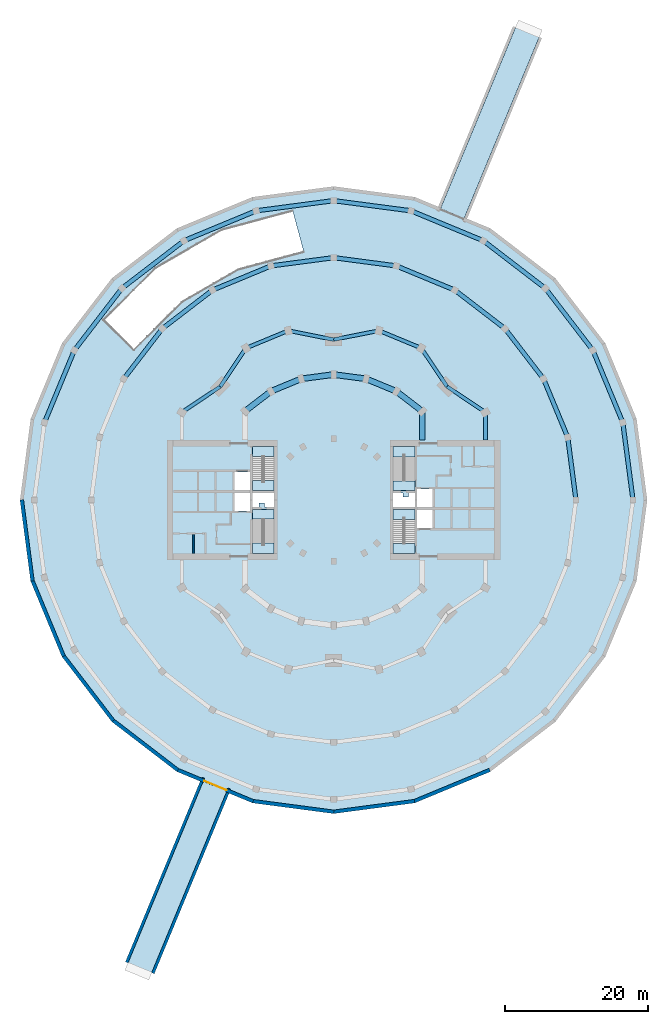
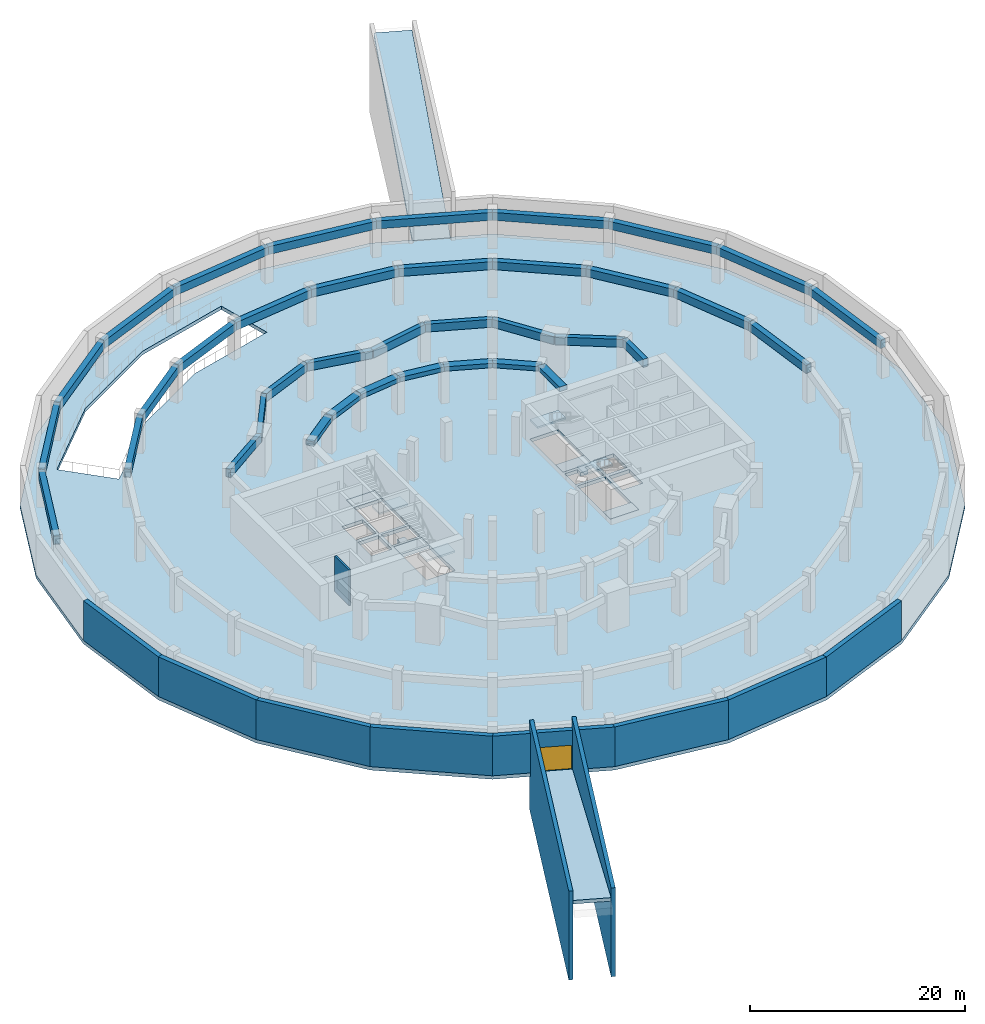
# One storey, part 2 of 7: 37 beams, 11 slabs, 11 walls, 1 door, 1 opening, 6 elements without a shape of their own.
"""IFC4 building model written with IfcOpenShell, lengths in metres."""

from ifc_helpers import new_model, si_unit, direction, frame, frame_2d, origin, origin_2d, place, context, subcontext, project, spatial, polyline, rectangle, outline, extrude, material, layer, layer_set, material_profile, profile_set, type_object, element, fill, aggregate, save


model = new_model("IFC4")

# Units and contexts
model_context = context("Model", 3, precision=1e-05, world=origin(), true_north=direction((0.0, 1.0)))
body_context = subcontext(model_context, "Body", "Model", "MODEL_VIEW")
ifc_project = project(units=[si_unit("LENGTHUNIT", "METRE"), si_unit("AREAUNIT", "SQUARE_METRE"), si_unit("VOLUMEUNIT", "CUBIC_METRE"), si_unit("PLANEANGLEUNIT", "RADIAN"), si_unit("MASSUNIT", "GRAM", prefix="KILO")], contexts=[model_context])

# Site, building, storey
site_placement = place(None, origin())
site = spatial("IfcSite", under=ifc_project, at=site_placement, CompositionType="ELEMENT")
building_placement = place(site_placement, origin())
building = spatial("IfcBuilding", under=site, at=building_placement, Name="Torre Brocal", CompositionType="ELEMENT")
storey_placement = place(building_placement, frame((0.0, 0.0, -4.5)))
storey = spatial("IfcBuildingStorey", under=building, at=storey_placement, Name="B1", CompositionType="ELEMENT", Elevation=-4.5)

# Beams
ifc_material_1 = material(Name="Concrete C50", Category="concrete")
ifc_material_profile_1 = material_profile(ifc_material_1, rectangle(XDim=0.60009765625, YDim=0.89990234375, at=origin_2d()), Name="RC 600X900")
ifc_profile_set_1 = profile_set([ifc_material_profile_1], Name="Concrete C50")
beam_type_1 = type_object("IfcBeamType", Name="RC BEAM 600X900 C50 TOP 4050", PredefinedType="BEAM", material=ifc_profile_set_1)
for number, where, z_axis, x_axis, name in (
    (1, (122.0, 75.0, 3.60009765625), (-0.130529968843, 0.991444364165, 0.0), (-0.991444364165, -0.130529968843, 0.0), "Beam BT-04"),
    (2, (120.56884765625, 85.870361328125, 3.60009765625), (-0.382680868131, 0.923880594648, 0.0), (-0.923880594648, -0.382680868131, 0.0), "Beam BT-04"),
    (3, (116.373046875, 96.0, 3.60009765625), (-0.608760122032, 0.793354343168, 0.0), (-0.793354343168, -0.608760122032, 0.0), "Beam BT-04"),
    (4, (109.698486328125, 104.698486328125, 3.60009765625), (-0.793354343168, 0.608760122032, 0.0), (-0.608760122032, -0.793354343168, 0.0), "Beam BT-04"),
    (5, (101.0, 111.373046875, 3.60009765625), (-0.923880594648, 0.382680868131, 0.0), (-0.382680868131, -0.923880594648, 0.0), "Beam BT-04"),
    (6, (90.870361328125, 115.56884765625, 3.60009765625), (-0.991444364165, 0.130529968843, 0.0), (-0.130529968843, -0.991444364165, 0.0), "Beam BT-04"),
    (7, (80.0, 117.0, 3.60009765625), (-0.991444364165, -0.130529968843, 0.0), (0.130529968843, -0.991444364165, 0.0), "Beam BT-04"),
    (8, (69.129638671875, 115.56884765625, 3.60009765625), (-0.923880594648, -0.382680868131, 0.0), (0.382680868131, -0.923880594648, 0.0), "Beam BT-04"),
    (9, (59.0, 111.373046875, 3.60009765625), (-0.793354343168, -0.608760122032, 0.0), (0.608760122032, -0.793354343168, 0.0), "Beam BT-04"),
    (10, (50.301513671875, 104.698486328125, 3.60009765625), (-0.608760122032, -0.793354343168, 0.0), (0.793354343168, -0.608760122032, 0.0), "Beam BT-04"),
    (11, (43.626953125, 96.0, 3.60009765625), (-0.382680868131, -0.923880594648, 0.0), (0.923880594648, -0.382680868131, 0.0), "Beam BT-04"),
):
    element("IfcBeam", number, at=place(storey_placement, frame(where, z_axis=z_axis, x_axis=x_axis)), inside=storey, type_object=beam_type_1, Name=name, PredefinedType="BEAM", context=body_context, shape_type="SweptSolid", body=[
        extrude(rectangle(XDim=0.60009765625, YDim=0.89990234375, at=origin_2d()), origin(), (0.0, 0.0, 1.0), 10.964111328125),
    ])
beam_1_placement = place(storey_placement, frame((114.0, 75.0, 3.60009765625), z_axis=(-0.130518550679, 0.991445867372, 0.0), x_axis=(-0.991445867372, -0.130518550679, 0.0)))
element("IfcBeam", 12, at=beam_1_placement, inside=storey, type_object=beam_type_1, Name="Beam BT-04", PredefinedType="BEAM", context=body_context, shape_type="SweptSolid", body=[
    extrude(rectangle(XDim=0.60009765625, YDim=0.89990234375, at=origin_2d()), origin(), (0.0, 0.0, 1.0), 8.875732421875),
])
beam_2_placement = place(storey_placement, frame((112.841552734375, 83.7998046875, 3.60009765625), z_axis=(-0.382692703012, 0.923875692429, 0.0), x_axis=(-0.923875692429, -0.382692703012, 0.0)))
element("IfcBeam", 13, at=beam_2_placement, inside=storey, type_object=beam_type_1, Name="Beam BT-04", PredefinedType="BEAM", context=body_context, shape_type="SweptSolid", body=[
    extrude(rectangle(XDim=0.60009765625, YDim=0.89990234375, at=origin_2d()), origin(), (0.0, 0.0, 1.0), 8.8759765625),
])
for number, where, z_axis, x_axis, name in (
    (14, (109.44482421875, 92.0, 3.60009765625), (-0.608743902882, 0.793366788253, 0.0), (-0.793366788253, -0.608743902882, 0.0), "Beam BT-04"),
    (15, (104.041748046875, 99.041748046875, 3.60009765625), (-0.793366788253, 0.608743902882, 0.0), (-0.608743902882, -0.793366788253, 0.0), "Beam BT-04"),
):
    element("IfcBeam", number, at=place(storey_placement, frame(where, z_axis=z_axis, x_axis=x_axis)), inside=storey, type_object=beam_type_1, Name=name, PredefinedType="BEAM", context=body_context, shape_type="SweptSolid", body=[
        extrude(rectangle(XDim=0.60009765625, YDim=0.89990234375, at=origin_2d()), origin(), (0.0, 0.0, 1.0), 8.875732421875),
    ])
beam_3_placement = place(storey_placement, frame((97.0, 104.44482421875, 3.60009765625), z_axis=(-0.923875692429, 0.382692703012, 0.0), x_axis=(-0.382692703012, -0.923875692429, 0.0)))
element("IfcBeam", 16, at=beam_3_placement, inside=storey, type_object=beam_type_1, Name="Beam BT-04", PredefinedType="BEAM", context=body_context, shape_type="SweptSolid", body=[
    extrude(rectangle(XDim=0.60009765625, YDim=0.89990234375, at=origin_2d()), origin(), (0.0, 0.0, 1.0), 8.8759765625),
])
for number, where, z_axis, x_axis, name in (
    (17, (88.7998046875, 107.841552734375, 3.60009765625), (-0.991445867372, 0.130518550679, 0.0), (-0.130518550679, -0.991445867372, 0.0), "Beam BT-04"),
    (18, (80.0, 109.0, 3.60009765625), (-0.991445867372, -0.130518550679, 0.0), (0.130518550679, -0.991445867372, 0.0), "Beam BT-04"),
):
    element("IfcBeam", number, at=place(storey_placement, frame(where, z_axis=z_axis, x_axis=x_axis)), inside=storey, type_object=beam_type_1, Name=name, PredefinedType="BEAM", context=body_context, shape_type="SweptSolid", body=[
        extrude(rectangle(XDim=0.60009765625, YDim=0.89990234375, at=origin_2d()), origin(), (0.0, 0.0, 1.0), 8.875732421875),
    ])
beam_4_placement = place(storey_placement, frame((71.2001953125, 107.841552734375, 3.60009765625), z_axis=(-0.923875692429, -0.382692703012, 0.0), x_axis=(0.382692703012, -0.923875692429, 0.0)))
element("IfcBeam", 19, at=beam_4_placement, inside=storey, type_object=beam_type_1, Name="Beam BT-04", PredefinedType="BEAM", context=body_context, shape_type="SweptSolid", body=[
    extrude(rectangle(XDim=0.60009765625, YDim=0.89990234375, at=origin_2d()), origin(), (0.0, 0.0, 1.0), 8.8759765625),
])
for number, where, z_axis, x_axis, name in (
    (20, (63.0, 104.44482421875, 3.60009765625), (-0.793366788253, -0.608743902882, 0.0), (0.608743902882, -0.793366788253, 0.0), "Beam BT-04"),
    (21, (55.958251953125, 99.041748046875, 3.60009765625), (-0.608743902882, -0.793366788253, 0.0), (0.793366788253, -0.608743902882, 0.0), "Beam BT-04"),
):
    element("IfcBeam", number, at=place(storey_placement, frame(where, z_axis=z_axis, x_axis=x_axis)), inside=storey, type_object=beam_type_1, Name=name, PredefinedType="BEAM", context=body_context, shape_type="SweptSolid", body=[
        extrude(rectangle(XDim=0.60009765625, YDim=0.89990234375, at=origin_2d()), origin(), (0.0, 0.0, 1.0), 8.875732421875),
    ])
ifc_material_2 = material(Name="Concrete C50", Category="concrete")
ifc_material_profile_2 = material_profile(ifc_material_2, rectangle(XDim=0.800048828125, YDim=0.5, at=origin_2d()), Name="RC 800X500")
ifc_profile_set_2 = profile_set([ifc_material_profile_2], Name="Concrete C50")
beam_type_2 = type_object("IfcBeamType", Name="RC BEAM 800X500 C50 TOP 4050", PredefinedType="BEAM", material=ifc_profile_set_2)
beam_5_placement = place(storey_placement, frame((92.445068359375, 87.445068359375, 3.800048828125), z_axis=(-0.793358265959, 0.6087550097, 0.0), x_axis=(-0.6087550097, -0.793358265959, 0.0)))
element("IfcBeam", 22, at=beam_5_placement, inside=storey, type_object=beam_type_2, Name="Beam BT-05", PredefinedType="BEAM", context=body_context, shape_type="SweptSolid", body=[
    extrude(rectangle(XDim=0.800048828125, YDim=0.5, at=origin_2d()), origin(), (0.0, 0.0, 1.0), 4.594482421875),
])
beam_6_placement = place(storey_placement, frame((88.800048828125, 90.241943359375, 3.800048828125), z_axis=(-0.923878240166, 0.382686552348, 0.0), x_axis=(-0.382686552348, -0.923878240166, 0.0)))
element("IfcBeam", 23, at=beam_6_placement, inside=storey, type_object=beam_type_2, Name="Beam BT-05", PredefinedType="BEAM", context=body_context, shape_type="SweptSolid", body=[
    extrude(rectangle(XDim=0.800048828125, YDim=0.5, at=origin_2d()), origin(), (0.0, 0.0, 1.0), 4.5947265625),
])
for number, where, z_axis, x_axis, name in (
    (24, (84.55517578125, 92.000244140625, 3.800048828125), (-0.991440544449, 0.130558978332, 0.0), (-0.130558978332, -0.991440544449, 0.0), "Beam BT-05"),
    (25, (80.0, 92.60009765625, 3.800048828125), (-0.991440544449, -0.130558978332, 0.0), (0.130558978332, -0.991440544449, 0.0), "Beam BT-05"),
):
    element("IfcBeam", number, at=place(storey_placement, frame(where, z_axis=z_axis, x_axis=x_axis)), inside=storey, type_object=beam_type_2, Name=name, PredefinedType="BEAM", context=body_context, shape_type="SweptSolid", body=[
        extrude(rectangle(XDim=0.800048828125, YDim=0.5, at=origin_2d()), origin(), (0.0, 0.0, 1.0), 4.594482421875),
    ])
beam_7_placement = place(storey_placement, frame((75.44482421875, 92.000244140625, 3.800048828125), z_axis=(-0.923878240166, -0.382686552348, 0.0), x_axis=(0.382686552348, -0.923878240166, 0.0)))
element("IfcBeam", 26, at=beam_7_placement, inside=storey, type_object=beam_type_2, Name="Beam BT-05", PredefinedType="BEAM", context=body_context, shape_type="SweptSolid", body=[
    extrude(rectangle(XDim=0.800048828125, YDim=0.5, at=origin_2d()), origin(), (0.0, 0.0, 1.0), 4.5947265625),
])
beam_8_placement = place(storey_placement, frame((71.199951171875, 90.241943359375, 3.800048828125), z_axis=(-0.793358265959, -0.6087550097, 0.0), x_axis=(0.6087550097, -0.793358265959, 0.0)))
element("IfcBeam", 27, at=beam_8_placement, inside=storey, type_object=beam_type_2, Name="Beam BT-05", PredefinedType="BEAM", context=body_context, shape_type="SweptSolid", body=[
    extrude(rectangle(XDim=0.800048828125, YDim=0.5, at=origin_2d()), origin(), (0.0, 0.0, 1.0), 4.594482421875),
])
beam_9_placement = place(storey_placement, frame((92.445068359375, 87.445068359375, 3.800048828125), z_axis=(0.0, -1.0, 0.0), x_axis=(1.0, 0.0, 0.0)))
element("IfcBeam", 28, at=beam_9_placement, inside=storey, type_object=beam_type_2, Name="Beam BT-05", PredefinedType="BEAM", context=body_context, shape_type="SweptSolid", body=[
    extrude(rectangle(XDim=0.800048828125, YDim=0.5, at=origin_2d()), origin(), (0.0, 0.0, 1.0), 4.045166015625),
])
ifc_material_3 = material(Name="Concrete C50", Category="concrete")
ifc_material_profile_3 = material_profile(ifc_material_3, rectangle(XDim=0.5, YDim=0.89990234375, at=origin_2d()), Name="RC 500X900")
ifc_profile_set_3 = profile_set([ifc_material_profile_3], Name="Concrete C50")
beam_type_3 = type_object("IfcBeamType", Name="RC SPANDREL BEAM 500X900 C50 TOP 4050", PredefinedType="SPANDREL", material=ifc_profile_set_3)
for number, where, z_axis, x_axis, name in (
    (29, (101.30419921875, 87.300048828125, 3.60009765625), (-0.831076844476, 0.556157602282, 0.0), (-0.556157602282, -0.831076844476, 0.0), "Beam BT-06"),
    (30, (95.909912109375, 90.909912109375, 3.60009765625), (-0.556157602282, 0.831076844476, 0.0), (-0.831076844476, -0.556157602282, 0.0), "Beam BT-06"),
):
    element("IfcBeam", number, at=place(storey_placement, frame(where, z_axis=z_axis, x_axis=x_axis)), inside=storey, type_object=beam_type_3, Name=name, PredefinedType="SPANDREL", context=body_context, shape_type="SweptSolid", body=[
        extrude(rectangle(XDim=0.5, YDim=0.89990234375, at=origin_2d()), origin(), (0.0, 0.0, 1.0), 6.49072265625),
    ])
beam_10_placement = place(storey_placement, frame((92.300048828125, 96.30419921875, 3.60009765625), z_axis=(-0.923882462513, 0.382676358639, 0.0), x_axis=(-0.382676358639, -0.923882462513, 0.0)))
element("IfcBeam", 31, at=beam_10_placement, inside=storey, type_object=beam_type_3, Name="Beam BT-06", PredefinedType="SPANDREL", context=body_context, shape_type="SweptSolid", body=[
    extrude(rectangle(XDim=0.5, YDim=0.89990234375, at=origin_2d()), origin(), (0.0, 0.0, 1.0), 6.421875),
])
for number, where, z_axis, x_axis, name in (
    (32, (86.366943359375, 98.76171875, 3.60009765625), (-0.980924907484, -0.194387051723, 0.0), (0.194387051723, -0.980924907484, 0.0), "Beam BT-06"),
    (33, (80.0, 97.5, 3.60009765625), (-0.980924907484, 0.194387051723, 0.0), (-0.194387051723, -0.980924907484, 0.0), "Beam BT-06"),
):
    element("IfcBeam", number, at=place(storey_placement, frame(where, z_axis=z_axis, x_axis=x_axis)), inside=storey, type_object=beam_type_3, Name=name, PredefinedType="SPANDREL", context=body_context, shape_type="SweptSolid", body=[
        extrude(rectangle(XDim=0.5, YDim=0.89990234375, at=origin_2d()), origin(), (0.0, 0.0, 1.0), 6.49072265625),
    ])
beam_11_placement = place(storey_placement, frame((73.633056640625, 98.76171875, 3.60009765625), z_axis=(-0.923882462513, -0.382676358639, 0.0), x_axis=(0.382676358639, -0.923882462513, 0.0)))
element("IfcBeam", 34, at=beam_11_placement, inside=storey, type_object=beam_type_3, Name="Beam BT-06", PredefinedType="SPANDREL", context=body_context, shape_type="SweptSolid", body=[
    extrude(rectangle(XDim=0.5, YDim=0.89990234375, at=origin_2d()), origin(), (0.0, 0.0, 1.0), 6.421875),
])
for number, where, z_axis, x_axis, name in (
    (35, (67.699951171875, 96.30419921875, 3.60009765625), (-0.556157602282, -0.831076844476, 0.0), (0.831076844476, -0.556157602282, 0.0), "Beam BT-06"),
    (36, (64.090087890625, 90.909912109375, 3.60009765625), (-0.831076844476, -0.556157602282, 0.0), (0.556157602282, -0.831076844476, 0.0), "Beam BT-06"),
):
    element("IfcBeam", number, at=place(storey_placement, frame(where, z_axis=z_axis, x_axis=x_axis)), inside=storey, type_object=beam_type_3, Name=name, PredefinedType="SPANDREL", context=body_context, shape_type="SweptSolid", body=[
        extrude(rectangle(XDim=0.5, YDim=0.89990234375, at=origin_2d()), origin(), (0.0, 0.0, 1.0), 6.49072265625),
    ])
beam_12_placement = place(storey_placement, frame((101.30419921875, 87.300048828125, 3.60009765625), z_axis=(0.0, -1.0, 0.0), x_axis=(1.0, 0.0, 0.0)))
element("IfcBeam", 37, at=beam_12_placement, inside=storey, type_object=beam_type_3, Name="Beam BT-06", PredefinedType="SPANDREL", context=body_context, shape_type="SweptSolid", body=[
    extrude(rectangle(XDim=0.5, YDim=0.89990234375, at=origin_2d()), origin(), (0.0, 0.0, 1.0), 3.900146484375),
])

# Stair, slab
ifc_material_4 = material(Name="Concrete C50", Category="concrete")
stair_type = type_object("IfcStairType", Name="EXIT STAIR", PredefinedType="HALF_TURN_STAIR", material=ifc_material_4)
stair_1_placement = place(storey_placement, origin())
stair_1 = element("IfcStair", 38, at=stair_1_placement, inside=storey, type_object=stair_type, Name="EXIT STAIR ST1", PredefinedType="HALF_TURN_STAIR")
ifc_material_5 = material(Name="Concrete C50", Category="concrete")
ifc_layer_1 = layer(ifc_material_5, 0.39990234375)
ifc_layer_set_1 = layer_set([ifc_layer_1], Name="Concrete C50")
slab_type_1 = type_object("IfcSlabType", Name="FLOOR LANDING 400", PredefinedType="LANDING", material=ifc_layer_set_1)
slab_1_placement = place(storey_placement, frame((0.0, 0.0, -0.39990234375)))
slab_1 = element("IfcSlab", 39, at=slab_1_placement, type_object=slab_type_1, Name="ST1 landing 1", PredefinedType="LANDING", context=body_context, shape_type="SweptSolid", body=[
    extrude(outline(polyline([(88.35009765625, 76.300048828125), (91.39990234375, 76.300048828125), (91.39990234375, 77.699951171875), (88.35009765625, 77.699951171875), (88.35009765625, 76.300048828125)])), origin(), (0.0, 0.0, 1.0), 0.39990234375),
])

stair_2_placement = place(storey_placement, origin())
stair_2 = element("IfcStair", 40, at=stair_2_placement, inside=storey, type_object=stair_type, Name="EXIT STAIR ST2", PredefinedType="HALF_TURN_STAIR")
slab_2_placement = place(storey_placement, frame((0.0, 0.0, -0.39990234375)))
slab_2 = element("IfcSlab", 41, at=slab_2_placement, type_object=slab_type_1, Name="ST2 landing 1", PredefinedType="LANDING", context=body_context, shape_type="SweptSolid", body=[
    extrude(outline(polyline([(88.35009765625, 67.5), (91.39990234375, 67.5), (91.39990234375, 68.89990234375), (88.35009765625, 68.89990234375), (88.35009765625, 67.5)])), origin(), (0.0, 0.0, 1.0), 0.39990234375),
])

stair_3_placement = place(storey_placement, origin())
stair_3 = element("IfcStair", 42, at=stair_3_placement, inside=storey, type_object=stair_type, Name="EXIT STAIR ST3", PredefinedType="HALF_TURN_STAIR")
slab_3_placement = place(storey_placement, frame((0.0, 0.0, -0.39990234375)))
slab_3 = element("IfcSlab", 43, at=slab_3_placement, type_object=slab_type_1, Name="ST3 landing 1", PredefinedType="LANDING", context=body_context, shape_type="SweptSolid", body=[
    extrude(outline(polyline([(71.64990234375, 73.699951171875), (68.60009765625, 73.699951171875), (68.60009765625, 72.300048828125), (71.64990234375, 72.300048828125), (71.64990234375, 73.699951171875)])), origin(), (0.0, 0.0, 1.0), 0.39990234375),
])

stair_4_placement = place(storey_placement, origin())
stair_4 = element("IfcStair", 44, at=stair_4_placement, inside=storey, type_object=stair_type, Name="EXIT STAIR ST4", PredefinedType="HALF_TURN_STAIR")
slab_4_placement = place(storey_placement, frame((0.0, 0.0, -0.39990234375)))
slab_4 = element("IfcSlab", 45, at=slab_4_placement, type_object=slab_type_1, Name="ST4 landing 1", PredefinedType="LANDING", context=body_context, shape_type="SweptSolid", body=[
    extrude(outline(polyline([(71.64990234375, 82.5), (68.60009765625, 82.5), (68.60009765625, 81.10009765625), (71.64990234375, 81.10009765625), (71.64990234375, 82.5)])), origin(), (0.0, 0.0, 1.0), 0.39990234375),
])

# Slab
ifc_material_6 = material(Name="Concrete C50", Category="concrete")
ifc_layer_2 = layer(ifc_material_6, 0.199951171875)
ifc_layer_set_2 = layer_set([ifc_layer_2], Name="Concrete C50")
slab_type_2 = type_object("IfcSlabType", Name="MID LANDING +2250", PredefinedType="LANDING", material=ifc_layer_set_2)
slab_5_placement = place(storey_placement, frame((0.0, 0.0, 2.050048828125)))
slab_5 = element("IfcSlab", 46, at=slab_5_placement, type_object=slab_type_2, Name="ST1 landing 2", PredefinedType="LANDING", context=body_context, shape_type="SweptSolid", body=[
    extrude(outline(polyline([(88.35009765625, 81.06005859375), (91.39990234375, 81.06005859375), (91.39990234375, 82.5), (88.35009765625, 82.5), (88.35009765625, 81.06005859375)])), origin(), (0.0, 0.0, 1.0), 0.199951171875),
])

aggregate(stair_1, [slab_1, slab_5])

slab_6_placement = place(storey_placement, frame((0.0, 0.0, 2.050048828125)))
slab_6 = element("IfcSlab", 47, at=slab_6_placement, type_object=slab_type_2, Name="ST2 landing 2", PredefinedType="LANDING", context=body_context, shape_type="SweptSolid", body=[
    extrude(outline(polyline([(88.35009765625, 72.260009765625), (91.39990234375, 72.260009765625), (91.39990234375, 73.699951171875), (88.35009765625, 73.699951171875), (88.35009765625, 72.260009765625)])), origin(), (0.0, 0.0, 1.0), 0.199951171875),
])

aggregate(stair_2, [slab_2, slab_6])

slab_7_placement = place(storey_placement, frame((0.0, 0.0, 2.050048828125)))
slab_7 = element("IfcSlab", 48, at=slab_7_placement, type_object=slab_type_2, Name="ST3 landing 2", PredefinedType="LANDING", context=body_context, shape_type="SweptSolid", body=[
    extrude(outline(polyline([(71.64990234375, 68.93994140625), (68.60009765625, 68.93994140625), (68.60009765625, 67.5), (71.64990234375, 67.5), (71.64990234375, 68.93994140625)])), origin(), (0.0, 0.0, 1.0), 0.199951171875),
])

aggregate(stair_3, [slab_3, slab_7])

slab_8_placement = place(storey_placement, frame((0.0, 0.0, 2.050048828125)))
slab_8 = element("IfcSlab", 49, at=slab_8_placement, type_object=slab_type_2, Name="ST4 landing 2", PredefinedType="LANDING", context=body_context, shape_type="SweptSolid", body=[
    extrude(outline(polyline([(71.64990234375, 77.739990234375), (68.60009765625, 77.739990234375), (68.60009765625, 76.300048828125), (71.64990234375, 76.300048828125), (71.64990234375, 77.739990234375)])), origin(), (0.0, 0.0, 1.0), 0.199951171875),
])

aggregate(stair_4, [slab_4, slab_8])

ifc_material_7 = material(Name="Concrete C45", Category="concrete")
ifc_layer_3 = layer(ifc_material_7, 0.39990234375)
ifc_layer_set_3 = layer_set([ifc_layer_3], Name="Concrete C45")
slab_type_3 = type_object("IfcSlabType", Name="PT BASEMENT SLAB 400 C45", PredefinedType="FLOOR", material=ifc_layer_set_3)
slab_9_placement = place(storey_placement, frame((0.0, 0.0, -0.39990234375)))
element("IfcSlab", 50, at=slab_9_placement, inside=storey, type_object=slab_type_3, Name="Slab ST-16", PredefinedType="FLOOR", context=body_context, shape_type="SweptSolid", body=[
    extrude(outline(polyline([(118.096435546875, 53.005126953125), (111.10546875, 43.89453125), (101.994873046875, 36.903564453125), (91.385498046875, 32.509033203125), (80.0, 31.010009765625), (68.614501953125, 32.509033203125), (58.005126953125, 36.903564453125), (48.89453125, 43.89453125), (41.903564453125, 53.005126953125), (37.509033203125, 63.614501953125), (36.010009765625, 75.0), (37.509033203125, 86.385498046875), (41.903564453125, 96.994873046875), (48.89453125, 106.10546875), (58.005126953125, 113.096435546875), (68.614501953125, 117.490966796875), (80.0, 118.989990234375), (91.385498046875, 117.490966796875), (101.994873046875, 113.096435546875), (111.10546875, 106.10546875), (118.096435546875, 96.994873046875), (122.490966796875, 86.385498046875), (123.989990234375, 75.0), (122.490966796875, 63.614501953125), (118.096435546875, 53.005126953125)]), holes=[polyline([(91.699951171875, 73.60009765625), (91.699951171875, 71.050048828125), (93.89990234375, 71.050048828125), (93.89990234375, 73.60009765625), (91.699951171875, 73.60009765625)]), polyline([(91.699951171875, 76.550048828125), (91.699951171875, 74.0), (93.89990234375, 74.0), (93.89990234375, 76.550048828125), (91.699951171875, 76.550048828125)]), polyline([(90.5, 75.39990234375), (89.699951171875, 75.39990234375), (89.699951171875, 76.0), (88.35009765625, 76.0), (88.35009765625, 74.0), (91.39990234375, 74.0), (91.39990234375, 76.0), (90.5, 76.0), (90.5, 75.39990234375)]), polyline([(88.35009765625, 73.699951171875), (88.35009765625, 67.5), (91.39990234375, 67.5), (91.39990234375, 73.699951171875), (88.35009765625, 73.699951171875)]), polyline([(91.39990234375, 82.5), (88.35009765625, 82.5), (88.35009765625, 76.300048828125), (91.39990234375, 76.300048828125), (91.39990234375, 82.5)]), polyline([(47.731201171875, 100.254150390625), (51.973876953125, 96.01171875), (58.709228515625, 102.746826171875), (66.615966796875, 107.311767578125), (75.81640625, 109.777099609375), (74.263427734375, 115.57275390625), (64.300048828125, 112.903076171875), (55.02490234375, 107.548095703125), (47.731201171875, 100.254150390625)]), polyline([(69.5, 74.0), (69.5, 74.60009765625), (70.300048828125, 74.60009765625), (70.300048828125, 74.0), (71.64990234375, 74.0), (71.64990234375, 76.0), (68.60009765625, 76.0), (68.60009765625, 74.0), (69.5, 74.0)]), polyline([(68.60009765625, 76.300048828125), (71.64990234375, 76.300048828125), (71.64990234375, 82.5), (68.60009765625, 82.5), (68.60009765625, 76.300048828125)]), polyline([(71.64990234375, 73.699951171875), (68.60009765625, 73.699951171875), (68.60009765625, 67.5), (71.64990234375, 67.5), (71.64990234375, 73.699951171875)]), polyline([(68.300048828125, 73.449951171875), (68.300048828125, 76.0), (66.10009765625, 76.0), (66.10009765625, 73.449951171875), (68.300048828125, 73.449951171875)]), polyline([(68.300048828125, 76.39990234375), (68.300048828125, 78.949951171875), (66.10009765625, 78.949951171875), (66.10009765625, 76.39990234375), (68.300048828125, 76.39990234375)])]), origin(), (0.0, 0.0, 1.0), 0.39990234375),
])

# Assembly, slab
assembly_1_placement = place(storey_placement, origin())
assembly_1 = element("IfcElementAssembly", 51, at=assembly_1_placement, inside=storey, Name="Element Assembly RP-1", ObjectType="VEHICLE RAMP", PredefinedType="USERDEFINED")
ifc_material_8 = material(Name="Concrete C45", Category="concrete")
ifc_layer_4 = layer(ifc_material_8, 0.39990234375)
ifc_layer_set_4 = layer_set([ifc_layer_4], Name="Concrete C45")
slab_type_4 = type_object("IfcSlabType", Name="VEHICLE RAMP SLAB RP-1.1", PredefinedType="USERDEFINED", material=ifc_layer_set_4)
slab_10_placement = place(storey_placement, frame((51.151123046875, 10.056396484375, 4.5), z_axis=(0.061711226454, 0.148985095445, 0.986911934199), x_axis=(0.923875618111, -0.382692882421, 2.065158e-06)))
slab_10 = element("IfcSlab", 52, at=slab_10_placement, type_object=slab_type_4, Name="VEHICLE RAMP SLAB RP-1.1", ObjectType="VEHICLE RAMP SLAB", PredefinedType="USERDEFINED", context=body_context, shape_type="SweptSolid", body=[
    extrude(outline(polyline([(0.0, 0.0), (3.5999739943916738, -4.440892098500626e-16), (3.5998871696810135, 27.905267322099817), (-0.0003123802814885883, 27.905175113974703), (0.0, 0.0)])), origin(), (-2.065158e-06, 0.161260144273, -0.986911934199), 0.4052734375),
])
aggregate(assembly_1, [slab_10])

assembly_2_placement = place(storey_placement, origin())
assembly_2 = element("IfcElementAssembly", 53, at=assembly_2_placement, inside=storey, Name="Element Assembly RP-2", ObjectType="VEHICLE RAMP", PredefinedType="USERDEFINED")
ifc_material_9 = material(Name="Concrete C45", Category="concrete")
ifc_layer_5 = layer(ifc_material_9, 0.39990234375)
ifc_layer_set_5 = layer_set([ifc_layer_5], Name="Concrete C45")
slab_type_5 = type_object("IfcSlabType", Name="VEHICLE RAMP SLAB RP-2.1", PredefinedType="USERDEFINED", material=ifc_layer_set_5)
slab_11_placement = place(storey_placement, frame((108.848876953125, 139.943603515625, 4.5), z_axis=(-0.061711226454, -0.148985095445, 0.986911934199), x_axis=(-0.923875618111, 0.382692882421, 2.065158e-06)))
slab_11 = element("IfcSlab", 54, at=slab_11_placement, type_object=slab_type_5, Name="VEHICLE RAMP SLAB RP-2.1", ObjectType="VEHICLE RAMP SLAB", PredefinedType="USERDEFINED", context=body_context, shape_type="SweptSolid", body=[
    extrude(outline(polyline([(0.0, 0.0), (3.5999739943916738, -4.440892098500626e-16), (3.5998871696810135, 27.905267322099817), (-0.0003123802814885883, 27.905175113974703), (0.0, 0.0)])), origin(), (-2.065158e-06, 0.161260144273, -0.986911934199), 0.4052734375),
])
aggregate(assembly_2, [slab_11])

# Walls
ifc_material_10 = material(Name="Masonry block", Category="masonry")
ifc_layer_6 = layer(ifc_material_10, 0.199951171875)
ifc_layer_set_6 = layer_set([ifc_layer_6], Name="Masonry block")
wall_type_1 = type_object("IfcWallType", Name="CORE PARTITION 200 UNDER 450 SLAB", PredefinedType="PARTITIONING", material=ifc_layer_set_6)
wall_1_placement = place(storey_placement, frame((60.327392578125, 70.14990234375, 0.0), z_axis=(0.0, 0.0, 1.0), x_axis=(0.0, -1.0, 0.0)))
element("IfcWall", 55, at=wall_1_placement, inside=storey, type_object=wall_type_1, Name="Wall CP200-S450", PredefinedType="PARTITIONING", context=body_context, shape_type="SweptSolid", body=[
    extrude(rectangle(XDim=2.64990234375, YDim=0.199951171875, at=frame_2d((1.324951171875, 0.0))), origin(), (0.0, 0.0, 1.0), 4.050048828125),
])
ifc_material_11 = material(Name="Concrete C45", Category="concrete")
ifc_layer_7 = layer(ifc_material_11, 0.39990234375)
ifc_layer_set_7 = layer_set([ifc_layer_7], Name="Concrete C45")
wall_type_2 = type_object("IfcWallType", Name="RC RAMP RETAINING WALL 400 C45", PredefinedType="STANDARD", material=ifc_layer_set_7)
wall_2_placement = place(storey_placement, frame((61.7060546875, 36.03466796875, -4.5), z_axis=(0.0, 0.0, 1.0), x_axis=(-0.382685016155, -0.923878876483, 0.0)))
element("IfcWall", 56, at=wall_2_placement, inside=storey, type_object=wall_type_2, Name="Wall RW-02", PredefinedType="STANDARD", context=body_context, shape_type="SweptSolid", body=[
    extrude(rectangle(XDim=28.0400390625, YDim=0.39990234375, at=frame_2d((14.02001953125, 0.0))), origin(), (0.0, 0.0, 1.0), 10.10009765625),
])
wall_3_placement = place(storey_placement, frame((65.383056640625, 34.51171875, -4.5), z_axis=(0.0, 0.0, 1.0), x_axis=(-0.382681937818, -0.923880151572, 0.0)))
element("IfcWall", 57, at=wall_3_placement, inside=storey, type_object=wall_type_2, Name="Wall RW-02", PredefinedType="STANDARD", context=body_context, shape_type="SweptSolid", body=[
    extrude(rectangle(XDim=28.040283203125, YDim=0.39990234375, at=frame_2d((14.02001953125, 0.0))), origin(), (0.0, 0.0, 1.0), 10.10009765625),
])
ifc_material_12 = material(Name="Concrete C45", Category="concrete")
ifc_layer_8 = layer(ifc_material_12, 0.5)
ifc_layer_set_8 = layer_set([ifc_layer_8], Name="Concrete C45")
wall_type_3 = type_object("IfcWallType", Name="RC RETAINING WALL 500 C45", PredefinedType="STANDARD", material=ifc_layer_set_8)
wall_4_placement = place(storey_placement, frame((36.247802734375, 75.03271484375, 0.0), z_axis=(0.0, 0.0, 1.0), x_axis=(0.130524888474, -0.991445033014, 0.0)))
element("IfcWall", 58, at=wall_4_placement, inside=storey, type_object=wall_type_3, Name="Wall RW-1", PredefinedType="STANDARD", context=body_context, shape_type="SweptSolid", body=[
    extrude(rectangle(XDim=11.486328125, YDim=0.5, at=frame_2d((5.7431640625, 0.0))), origin(), (0.0, 0.0, 1.0), 4.5),
])
for number, where, z_axis, x_axis, name in (
    (59, (37.730224609375, 63.70751953125, 0.0), (0.0, 0.0, 1.0), (0.382679682269, -0.923881085843, 0.0), "Wall RW-1"),
    (60, (42.09326171875, 53.152099609375, 0.0), (0.0, 0.0, 1.0), (0.608768387966, -0.793348000447, 0.0), "Wall RW-1"),
    (61, (49.03955078125, 44.085693359375, 0.0), (0.0, 0.0, 1.0), (0.793348000447, -0.608768387966, 0.0), "Wall RW-1"),
):
    element("IfcWall", number, at=place(storey_placement, frame(where, z_axis=z_axis, x_axis=x_axis)), inside=storey, type_object=wall_type_3, Name=name, PredefinedType="STANDARD", context=body_context, shape_type="SweptSolid", body=[
        extrude(rectangle(XDim=11.486083984375, YDim=0.5, at=frame_2d((5.7431640625, 0.0))), origin(), (0.0, 0.0, 1.0), 4.5),
    ])

# Wall, opening, door
wall_5_placement = place(storey_placement, frame((58.095703125, 37.125732421875, 0.0), z_axis=(0.0, 0.0, 1.0), x_axis=(0.923881085843, -0.382679682269, 0.0)))
wall_5 = element("IfcWall", 62, at=wall_5_placement, inside=storey, type_object=wall_type_3, Name="Wall RW-1", PredefinedType="STANDARD", context=body_context, shape_type="SweptSolid", body=[
    extrude(rectangle(XDim=11.486083984375, YDim=0.5, at=frame_2d((5.7431640625, 0.0))), origin(), (0.0, 0.0, 1.0), 4.5),
])
opening_placement = place(wall_5_placement, frame((4.043212890625, 0.0, 0.0)))
opening = element("IfcOpeningElement", 63, at=opening_placement, cuts=wall_5, Name="Opening VG1", PredefinedType="OPENING", context=body_context, shape_type="SweptSolid", body=[
    extrude(rectangle(XDim=3.39990234375, YDim=2.800048828125, at=frame_2d((1.699951171875, 1.39990234375))), frame((0.0, 0.260009765625, 0.0), z_axis=(0.0, -1.0, 0.0), x_axis=(1.0, 0.0, 0.0)), (0.0, 0.0, 1.0), 0.52001953125),
])
ifc_material_13 = material(Name="Steel A992", Category="steel")
door_type = type_object("IfcDoorType", Name="VEHICLE GATE", OperationType="SLIDING_TO_LEFT", PredefinedType="GATE", material=ifc_material_13)
door_placement = place(opening_placement, origin())
door = element("IfcDoor", 64, at=door_placement, inside=storey, type_object=door_type, Name="Door VG1", OperationType="SLIDING_TO_LEFT", OverallHeight=2.800048828125, OverallWidth=3.39990234375, PredefinedType="GATE", context=body_context, shape_type="SweptSolid", body=[
    extrude(rectangle(XDim=3.39990234375, YDim=2.800048828125, at=frame_2d((1.699951171875, 1.39990234375))), frame((0.0, 0.02490234375, 0.0), z_axis=(0.0, -1.0, 0.0), x_axis=(1.0, 0.0, 0.0)), (0.0, 0.0, 1.0), 0.050048828125),
])
fill(opening, door)

# Walls
for number, where, z_axis, x_axis, name in (
    (65, (68.64453125, 32.7470703125, 0.0), (0.0, 0.0, 1.0), (0.991445033014, -0.130524888474, 0.0), "Wall RW-1"),
    (66, (79.96728515625, 31.247802734375, 0.0), (0.0, 0.0, 1.0), (0.991445033014, 0.130524888474, 0.0), "Wall RW-1"),
):
    element("IfcWall", number, at=place(storey_placement, frame(where, z_axis=z_axis, x_axis=x_axis)), inside=storey, type_object=wall_type_3, Name=name, PredefinedType="STANDARD", context=body_context, shape_type="SweptSolid", body=[
        extrude(rectangle(XDim=11.486328125, YDim=0.5, at=frame_2d((5.7431640625, 0.0))), origin(), (0.0, 0.0, 1.0), 4.5),
    ])
wall_6_placement = place(storey_placement, frame((91.29248046875, 32.730224609375, 0.0), z_axis=(0.0, 0.0, 1.0), x_axis=(0.923881085843, 0.382679682269, 0.0)))
element("IfcWall", 67, at=wall_6_placement, inside=storey, type_object=wall_type_3, Name="Wall RW-1", PredefinedType="STANDARD", context=body_context, shape_type="SweptSolid", body=[
    extrude(rectangle(XDim=11.486083984375, YDim=0.5, at=frame_2d((5.7431640625, 0.0))), origin(), (0.0, 0.0, 1.0), 4.5),
])

save(model, "model.ifc")
